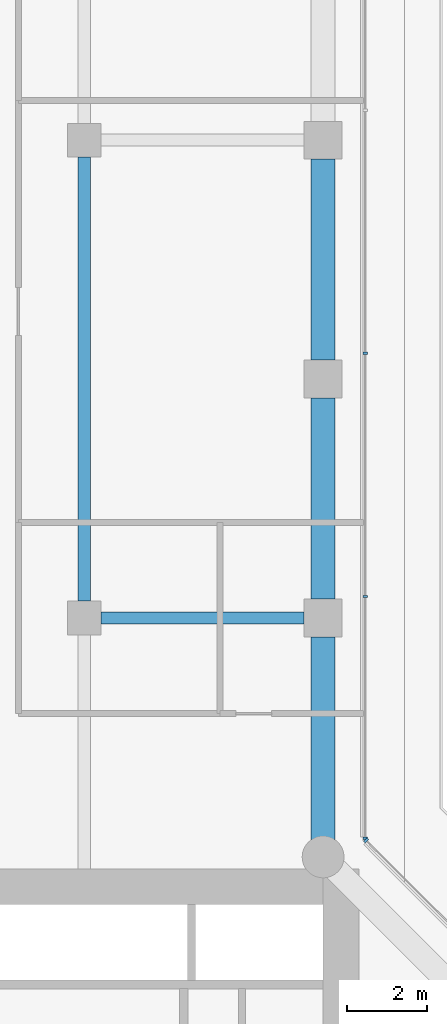
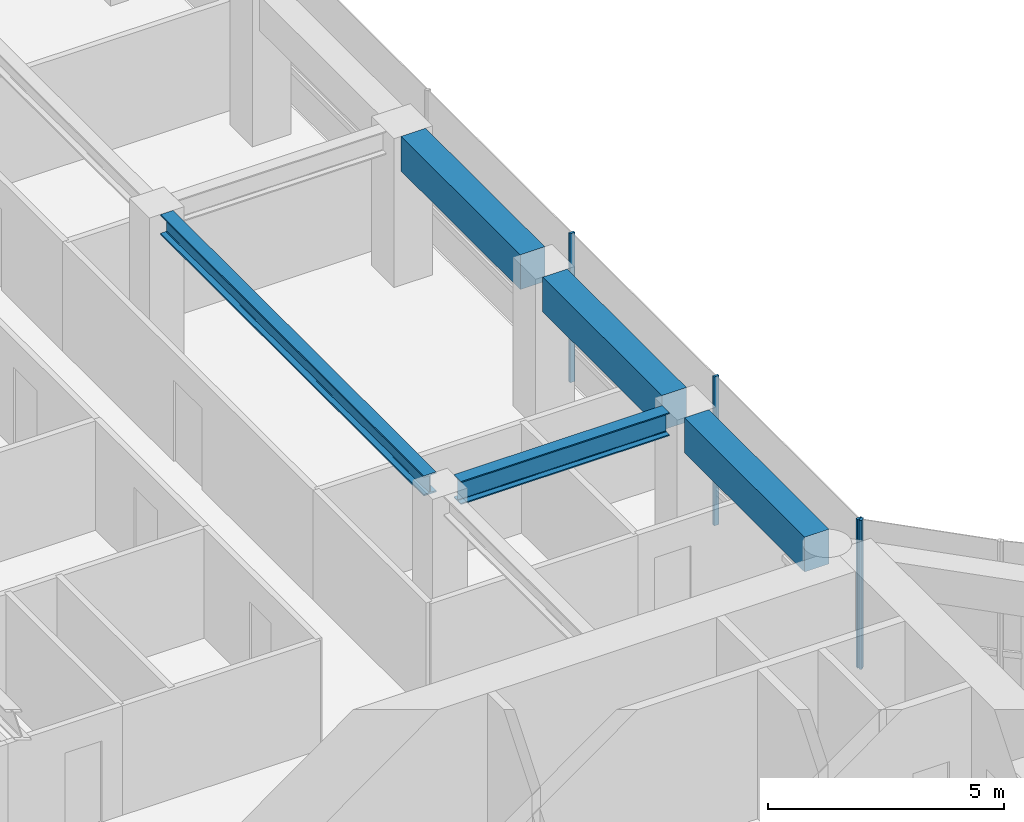
# One storey, part 13 of 28: 5 beams, 4 members, 2 elements without a shape of their own.
"""IFC4 building model written with IfcOpenShell, lengths in metres."""

from ifc_helpers import new_model, si_unit, direction, frame, origin, origin_2d, place, context, subcontext, project, spatial, rectangle, i_section, extrude, material, layer, layer_set, material_profile, profile_set, type_object, element, aggregate, save


model = new_model("IFC4")

# Units and contexts
model_context = context("Model", 3, precision=1e-05, world=origin(), true_north=direction((0.0, 1.0)))
body_context = subcontext(model_context, "Body", "Model", "MODEL_VIEW")
ifc_project = project(units=[si_unit("LENGTHUNIT", "METRE"), si_unit("AREAUNIT", "SQUARE_METRE"), si_unit("VOLUMEUNIT", "CUBIC_METRE"), si_unit("PLANEANGLEUNIT", "RADIAN"), si_unit("MASSUNIT", "GRAM", prefix="KILO")], contexts=[model_context])

# Site, building, storey
site_placement = place(None, origin())
site = spatial("IfcSite", under=ifc_project, at=site_placement, CompositionType="ELEMENT")
building_placement = place(site_placement, origin())
building = spatial("IfcBuilding", under=site, at=building_placement, Name="Welwitschia Terrace Campus", CompositionType="ELEMENT")
storey_placement = place(building_placement, frame((0.0, 0.0, 71.0)))
storey = spatial("IfcBuildingStorey", under=building, at=storey_placement, Name="L16", CompositionType="ELEMENT", Elevation=71.0)

# Beam
ifc_material_1 = material(Name="Steel S355", Category="steel")
ifc_material_profile_1 = material_profile(ifc_material_1, i_section(OverallWidth=0.305908203125, OverallDepth=0.52392578125, WebThickness=0.02099609375, FlangeThickness=0.0400390625, FilletRadius=0.027099609375, at=origin_2d()))
ifc_profile_set_1 = profile_set([ifc_material_profile_1], Name="Steel S355")
beam_type_1 = type_object("IfcBeamType", Name="Interior girder HE 500 M", PredefinedType="BEAM", material=ifc_profile_set_1)
beam_1_placement = place(storey_placement, frame((18.0, 32.425537109375, 3.587890625), z_axis=(0.0, 1.0, 0.0), x_axis=(-1.0, 0.0, 0.0)))
element("IfcBeam", 1, at=beam_1_placement, inside=storey, type_object=beam_type_1, Name="Girder GB2", PredefinedType="BEAM", context=body_context, shape_type="SweptSolid", body=[
    extrude(i_section(OverallWidth=0.305908203125, OverallDepth=0.52392578125, WebThickness=0.02099609375, FlangeThickness=0.0400390625, FilletRadius=0.027099609375, at=origin_2d()), origin(), (0.0, 0.0, 1.0), 11.14892578125),
])

# Curtain wall, member
ifc_material_2 = material(Name="Bronze anodised aluminium", Category="aluminium")
ifc_layer = layer(ifc_material_2, 0.1201171875)
ifc_layer_set = layer_set([ifc_layer], Name="Bronze anodised aluminium")
curtain_wall_type = type_object("IfcCurtainWallType", Name="Curtain wall CW2 tower 6000", PredefinedType="NOTDEFINED", material=ifc_layer_set)
curtain_wall_1_placement = place(storey_placement, origin())
curtain_wall_1 = element("IfcCurtainWall", 2, at=curtain_wall_1_placement, inside=storey, type_object=curtain_wall_type, Name="CW L16.13.0", PredefinedType="NOTDEFINED")
ifc_material_3 = material(Name="Bronze anodised aluminium", Category="aluminium")
ifc_material_profile_2 = material_profile(ifc_material_3, rectangle(XDim=0.1201171875, YDim=0.06005859375, at=origin_2d()))
ifc_profile_set_2 = profile_set([ifc_material_profile_2], Name="Bronze anodised aluminium")
member_type = type_object("IfcMemberType", Name="Mullion 60x120", PredefinedType="MULLION", material=ifc_profile_set_2)
member_1_placement = place(storey_placement, frame((25.0791015625, 26.4169921875, 0.0), z_axis=(0.0, 0.0, 1.0), x_axis=(-0.707106781187, -0.707106781187, 0.0)))
member_1 = element("IfcMember", 3, at=member_1_placement, type_object=member_type, Name="Mullion L16.13.0.1", PredefinedType="MULLION", context=body_context, shape_type="SweptSolid", body=[
    extrude(rectangle(XDim=0.1201171875, YDim=0.06005859375, at=origin_2d()), origin(), (0.0, 0.0, 1.0), 3.85009765625),
])
aggregate(curtain_wall_1, [member_1])

# Curtain wall, members
curtain_wall_2_placement = place(storey_placement, origin())
curtain_wall_2 = element("IfcCurtainWall", 4, at=curtain_wall_2_placement, inside=storey, type_object=curtain_wall_type, Name="CW L16.14.0", PredefinedType="NOTDEFINED")
member_2_placement = place(storey_placement, frame((25.05810546875, 26.46826171875, 0.0), z_axis=(0.0, 0.0, 1.0), x_axis=(-1.0, 0.0, 0.0)))
member_2 = element("IfcMember", 5, at=member_2_placement, type_object=member_type, Name="Mullion L16.14.0.0", PredefinedType="MULLION", context=body_context, shape_type="SweptSolid", body=[
    extrude(rectangle(XDim=0.1201171875, YDim=0.06005859375, at=origin_2d()), origin(), (0.0, 0.0, 1.0), 3.85009765625),
])
member_3_placement = place(storey_placement, frame((25.05810546875, 32.54150390625, 0.0), z_axis=(0.0, 0.0, 1.0), x_axis=(-1.0, 0.0, 0.0)))
member_3 = element("IfcMember", 6, at=member_3_placement, type_object=member_type, Name="Mullion L16.14.0.1", PredefinedType="MULLION", context=body_context, shape_type="SweptSolid", body=[
    extrude(rectangle(XDim=0.1201171875, YDim=0.06005859375, at=origin_2d()), origin(), (0.0, 0.0, 1.0), 3.85009765625),
])
member_4_placement = place(storey_placement, frame((25.05810546875, 38.644775390625, 0.0), z_axis=(0.0, 0.0, 1.0), x_axis=(-1.0, 0.0, 0.0)))
member_4 = element("IfcMember", 7, at=member_4_placement, type_object=member_type, Name="Mullion L16.14.0.2", PredefinedType="MULLION", context=body_context, shape_type="SweptSolid", body=[
    extrude(rectangle(XDim=0.1201171875, YDim=0.06005859375, at=origin_2d()), origin(), (0.0, 0.0, 1.0), 3.85009765625),
])
aggregate(curtain_wall_2, [member_2, member_3, member_4])

# Beams
ifc_material_4 = material(Name="Steel S355", Category="steel")
ifc_material_profile_3 = material_profile(ifc_material_4, i_section(OverallWidth=0.300048828125, OverallDepth=0.60009765625, WebThickness=0.015380859375, FlangeThickness=0.030029296875, FilletRadius=0.027099609375, at=origin_2d()))
ifc_profile_set_3 = profile_set([ifc_material_profile_3], Name="Steel S355")
beam_type_2 = type_object("IfcBeamType", Name="Primary beam HE 600 B", PredefinedType="BEAM", material=ifc_profile_set_3)
beam_2_placement = place(storey_placement, frame((23.5244140625, 32.0, 3.550048828125), z_axis=(-1.0, 0.0, 0.0), x_axis=(0.0, -1.0, 0.0)))
element("IfcBeam", 8, at=beam_2_placement, inside=storey, type_object=beam_type_2, Name="Primary beam PB2", PredefinedType="BEAM", context=body_context, shape_type="SweptSolid", body=[
    extrude(i_section(OverallWidth=0.300048828125, OverallDepth=0.60009765625, WebThickness=0.015380859375, FlangeThickness=0.030029296875, FilletRadius=0.027099609375, at=origin_2d()), origin(), (0.0, 0.0, 1.0), 5.098876953125),
])
ifc_material_5 = material(Name="Concrete C60/75", Category="concrete")
ifc_material_profile_4 = material_profile(ifc_material_5, rectangle(XDim=0.60009765625, YDim=0.89990234375, at=origin_2d()))
ifc_profile_set_4 = profile_set([ifc_material_profile_4], Name="Concrete C60/75")
beam_type_3 = type_object("IfcBeamType", Name="Ring spandrel 600x900", PredefinedType="SPANDREL", material=ifc_profile_set_4)
beam_3_placement = place(storey_placement, frame((24.0, 26.431396484375, 3.39990234375), z_axis=(0.0, 1.0, 0.0), x_axis=(-1.0, 0.0, 0.0)))
element("IfcBeam", 9, at=beam_3_placement, inside=storey, type_object=beam_type_3, Name="Spandrel SP2", PredefinedType="SPANDREL", context=body_context, shape_type="SweptSolid", body=[
    extrude(rectangle(XDim=0.60009765625, YDim=0.89990234375, at=origin_2d()), origin(), (0.0, 0.0, 1.0), 5.093017578125),
])
for number, where, z_axis, x_axis, name in (
    (10, (24.0, 32.4755859375, 3.39990234375), (0.0, 1.0, 0.0), (-1.0, 0.0, 0.0), "Spandrel SP2"),
    (11, (24.0, 38.4755859375, 3.39990234375), (0.0, 1.0, 0.0), (-1.0, 0.0, 0.0), "Spandrel SP2"),
):
    element("IfcBeam", number, at=place(storey_placement, frame(where, z_axis=z_axis, x_axis=x_axis)), inside=storey, type_object=beam_type_3, Name=name, PredefinedType="SPANDREL", context=body_context, shape_type="SweptSolid", body=[
        extrude(rectangle(XDim=0.60009765625, YDim=0.89990234375, at=origin_2d()), origin(), (0.0, 0.0, 1.0), 5.048828125),
    ])

save(model, "model.ifc")
